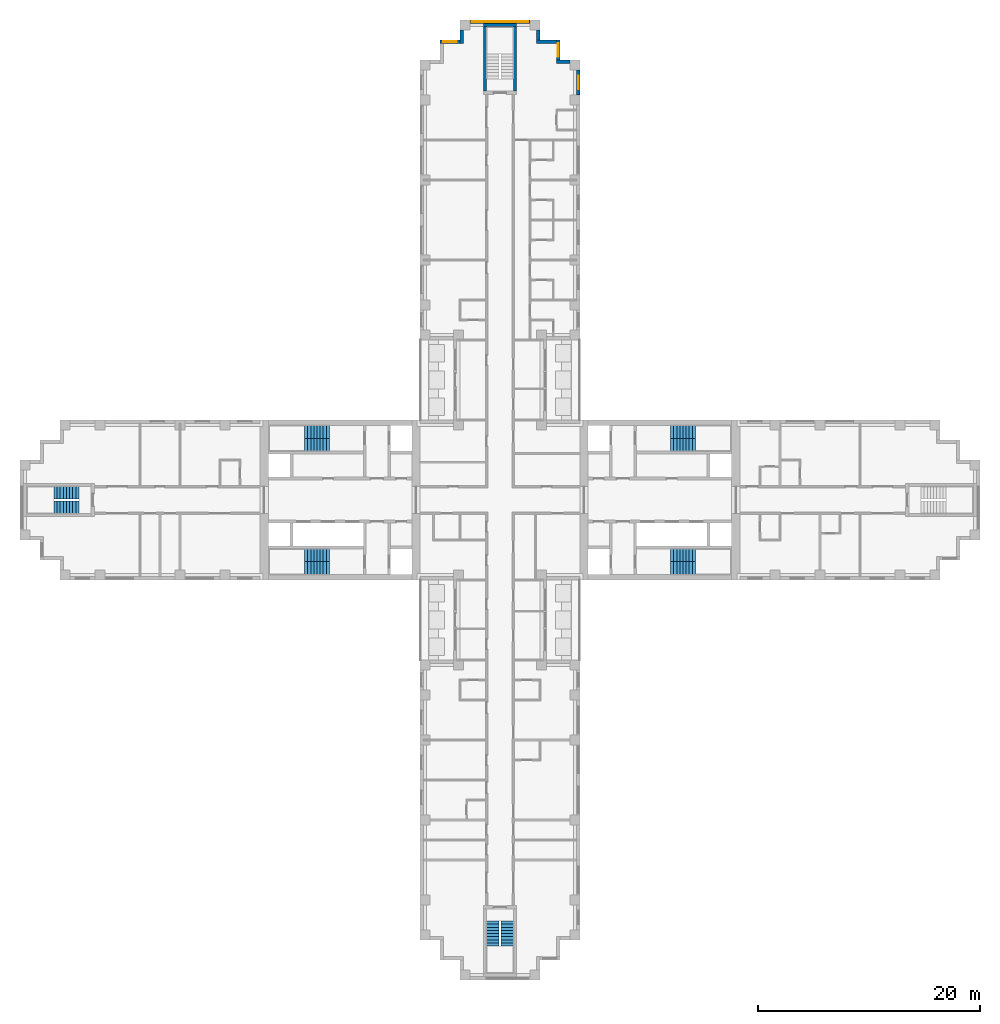
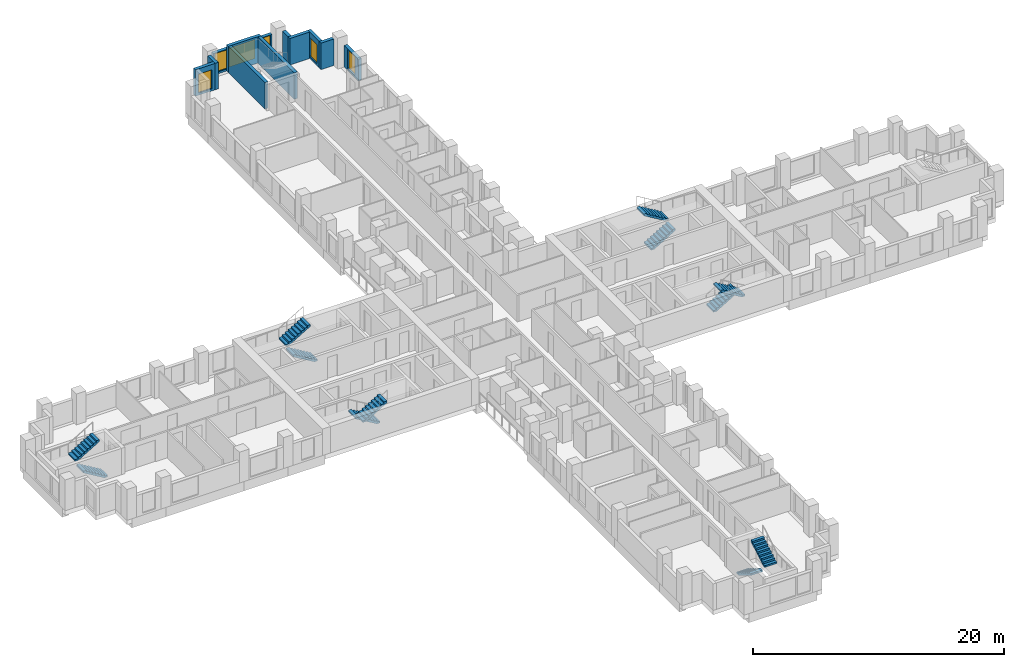
# One storey, part 12 of 15: 12 stair flights, 11 walls, 6 windows, 6 openings, 6 elements without a shape of their own.
"""IFC4 building model written with IfcOpenShell, lengths in metres."""

from ifc_helpers import new_model, si_unit, direction, frame, frame_2d, origin, place, context, subcontext, project, spatial, polyline, rectangle, outline, extrude, material, layer, layer_set, type_object, element, fill, aggregate, save


model = new_model("IFC4")

# Units and contexts
model_context = context("Model", 3, precision=1e-05, world=origin(), true_north=direction((0.0, 1.0)))
body_context = subcontext(model_context, "Body", "Model", "MODEL_VIEW")
ifc_project = project(units=[si_unit("LENGTHUNIT", "METRE"), si_unit("AREAUNIT", "SQUARE_METRE"), si_unit("VOLUMEUNIT", "CUBIC_METRE"), si_unit("PLANEANGLEUNIT", "RADIAN"), si_unit("MASSUNIT", "GRAM", prefix="KILO")], contexts=[model_context])

# Site, building, storey
site_placement = place(None, origin())
site = spatial("IfcSite", under=ifc_project, at=site_placement, CompositionType="ELEMENT")
building_placement = place(site_placement, origin())
building = spatial("IfcBuilding", under=site, at=building_placement, Name="Fustian Cross Tower", CompositionType="ELEMENT")
storey_placement = place(building_placement, frame((0.0, 0.0, 41.699951171875)))
storey = spatial("IfcBuildingStorey", under=building, at=storey_placement, Name="L12", CompositionType="ELEMENT", Elevation=41.699951171875)

# Walls
ifc_material_1 = material(Name="Concrete C50/60", Category="concrete")
ifc_layer_1 = layer(ifc_material_1, 0.300048828125)
ifc_layer_set_1 = layer_set([ifc_layer_1], Name="Concrete C50/60")
wall_type_1 = type_object("IfcWallType", Name="STAIR ENCLOSURE WALL 300 C50/60", PredefinedType="SHEAR", material=ifc_layer_set_1)
wall_1_placement = place(storey_placement, frame((-1.5, 42.75, 0.0), z_axis=(0.0, 0.0, 1.0), x_axis=(1.0, 0.0, 0.0)))
element("IfcWall", 1, at=wall_1_placement, inside=storey, type_object=wall_type_1, Name="Stair enclosure wall", PredefinedType="SHEAR", context=body_context, shape_type="SweptSolid", body=[
    extrude(rectangle(XDim=3.0, YDim=0.300048828125, at=frame_2d((1.5, 0.0))), origin(), (0.0, 0.0, 1.0), 2.574951171875),
])
for number, where, z_axis, x_axis, name in (
    (2, (-1.35009765625, 36.800048828125, 0.0), (0.0, 0.0, 1.0), (0.0, 1.0, 0.0), "Stair enclosure wall"),
    (3, (1.35009765625, 36.800048828125, 0.0), (0.0, 0.0, 1.0), (0.0, 1.0, 0.0), "Stair enclosure wall"),
):
    element("IfcWall", number, at=place(storey_placement, frame(where, z_axis=z_axis, x_axis=x_axis)), inside=storey, type_object=wall_type_1, Name=name, PredefinedType="SHEAR", context=body_context, shape_type="SweptSolid", body=[
        extrude(rectangle(XDim=5.800048828125, YDim=0.300048828125, at=frame_2d((2.89990234375, 0.0))), origin(), (0.0, 0.0, 1.0), 2.574951171875),
    ])

# Wall, opening, window
ifc_material_2 = material(Name="Dark aluminium cladding on insulated backing wall", Category="aluminium")
ifc_layer_2 = layer(ifc_material_2, 0.300048828125)
ifc_layer_set_2 = layer_set([ifc_layer_2], Name="Dark aluminium cladding on insulated backing wall")
wall_type_2 = type_object("IfcWallType", Name="XW1 EXTERNAL WALL 300", PredefinedType="SOLIDWALL", material=ifc_layer_set_2)
wall_2_placement = place(storey_placement, frame((7.050048828125, 36.449951171875, 0.0), z_axis=(0.0, 0.0, 1.0), x_axis=(0.0, 1.0, 0.0)))
wall_2 = element("IfcWall", 4, at=wall_2_placement, inside=storey, type_object=wall_type_2, Name="External wall", PredefinedType="SOLIDWALL", context=body_context, shape_type="SweptSolid", body=[
    extrude(rectangle(XDim=2.25, YDim=0.300048828125, at=frame_2d((1.125, 0.0))), origin(), (0.0, 0.0, 1.0), 2.10009765625),
])
opening_1_placement = place(wall_2_placement, frame((0.52490234375, 0.0, 0.199951171875)))
opening_1 = element("IfcOpeningElement", 5, at=opening_1_placement, cuts=wall_2, Name="Opening WN3", PredefinedType="OPENING", context=body_context, shape_type="SweptSolid", body=[
    extrude(rectangle(XDim=1.199951171875, YDim=1.85009765625, at=frame_2d((0.60009765625, 0.925048828125))), frame((0.0, 0.159912109375, 0.0), z_axis=(0.0, -1.0, 0.0), x_axis=(1.0, 0.0, 0.0)), (0.0, 0.0, 1.0), 0.320068359375),
])
ifc_material_3 = material(Name="Dark anodised aluminium and double glazing", Category="aluminium")
window_type_1 = type_object("IfcWindowType", Name="WN3 WINDOW 1200X1850", PartitioningType="SINGLE_PANEL", PredefinedType="WINDOW", material=ifc_material_3)
window_1_placement = place(opening_1_placement, origin())
window_1 = element("IfcWindow", 6, at=window_1_placement, inside=storey, type_object=window_type_1, Name="Window", OverallHeight=1.85009765625, OverallWidth=1.199951171875, PartitioningType="SINGLE_PANEL", PredefinedType="WINDOW", context=body_context, shape_type="SweptSolid", body=[
    extrude(rectangle(XDim=1.199951171875, YDim=1.85009765625, at=frame_2d((0.60009765625, 0.925048828125))), frame((0.0, 0.030029296875, 0.0), z_axis=(0.0, -1.0, 0.0), x_axis=(1.0, 0.0, 0.0)), (0.0, 0.0, 1.0), 0.06005859375),
])
fill(opening_1, window_1)

# Wall
wall_3_placement = place(storey_placement, frame((6.300048828125, 39.449951171875, 0.0), z_axis=(0.0, 0.0, 1.0), x_axis=(-1.0, 0.0, 0.0)))
element("IfcWall", 7, at=wall_3_placement, inside=storey, type_object=wall_type_2, Name="External wall", PredefinedType="SOLIDWALL", context=body_context, shape_type="SweptSolid", body=[
    extrude(rectangle(XDim=1.199951171875, YDim=0.300048828125, at=frame_2d((0.60009765625, 0.0))), origin(), (0.0, 0.0, 1.0), 2.574951171875),
])

# Wall, opening, window
wall_4_placement = place(storey_placement, frame((5.25, 39.60009765625, 0.0), z_axis=(0.0, 0.0, 1.0), x_axis=(0.0, 1.0, 0.0)))
wall_4 = element("IfcWall", 8, at=wall_4_placement, inside=storey, type_object=wall_type_2, Name="External wall", PredefinedType="SOLIDWALL", context=body_context, shape_type="SweptSolid", body=[
    extrude(rectangle(XDim=1.7998046875, YDim=0.300048828125, at=frame_2d((0.89990234375, 0.0))), origin(), (0.0, 0.0, 1.0), 2.574951171875),
])
opening_2_placement = place(wall_4_placement, frame((0.300048828125, 0.0, 0.199951171875)))
opening_2 = element("IfcOpeningElement", 9, at=opening_2_placement, cuts=wall_4, Name="Opening WN3", PredefinedType="OPENING", context=body_context, shape_type="SweptSolid", body=[
    extrude(rectangle(XDim=1.199951171875, YDim=1.85009765625, at=frame_2d((0.60009765625, 0.925048828125))), frame((0.0, 0.159912109375, 0.0), z_axis=(0.0, -1.0, 0.0), x_axis=(1.0, 0.0, 0.0)), (0.0, 0.0, 1.0), 0.320068359375),
])
window_2_placement = place(opening_2_placement, origin())
window_2 = element("IfcWindow", 10, at=window_2_placement, inside=storey, type_object=window_type_1, Name="Window", OverallHeight=1.85009765625, OverallWidth=1.199951171875, PartitioningType="SINGLE_PANEL", PredefinedType="WINDOW", context=body_context, shape_type="SweptSolid", body=[
    extrude(rectangle(XDim=1.199951171875, YDim=1.85009765625, at=frame_2d((0.60009765625, 0.925048828125))), frame((0.0, 0.030029296875, 0.0), z_axis=(0.0, -1.0, 0.0), x_axis=(1.0, 0.0, 0.0)), (0.0, 0.0, 1.0), 0.06005859375),
])
fill(opening_2, window_2)

# Walls
wall_5_placement = place(storey_placement, frame((5.10009765625, 41.25, 0.0), z_axis=(0.0, 0.0, 1.0), x_axis=(-1.0, 0.0, 0.0)))
element("IfcWall", 11, at=wall_5_placement, inside=storey, type_object=wall_type_2, Name="External wall", PredefinedType="SOLIDWALL", context=body_context, shape_type="SweptSolid", body=[
    extrude(rectangle(XDim=1.800048828125, YDim=0.300048828125, at=frame_2d((0.89990234375, 0.0))), origin(), (0.0, 0.0, 1.0), 2.574951171875),
])
wall_6_placement = place(storey_placement, frame((3.449951171875, 41.39990234375, 0.0), z_axis=(0.0, 0.0, 1.0), x_axis=(0.0, 1.0, 0.0)))
element("IfcWall", 12, at=wall_6_placement, inside=storey, type_object=wall_type_2, Name="External wall", PredefinedType="SOLIDWALL", context=body_context, shape_type="SweptSolid", body=[
    extrude(rectangle(XDim=0.900146484375, YDim=0.300048828125, at=frame_2d((0.4501953125, 0.0))), origin(), (0.0, 0.0, 1.0), 2.574951171875),
])

# Wall, openings, windows
wall_7_placement = place(storey_placement, frame((2.699951171875, 43.050048828125, 0.0), z_axis=(0.0, 0.0, 1.0), x_axis=(-1.0, 0.0, 0.0)))
wall_7 = element("IfcWall", 13, at=wall_7_placement, inside=storey, type_object=wall_type_2, Name="External wall", PredefinedType="SOLIDWALL", context=body_context, shape_type="SweptSolid", body=[
    extrude(rectangle(XDim=5.39990234375, YDim=0.300048828125, at=frame_2d((2.699951171875, 0.0))), origin(), (0.0, 0.0, 1.0), 2.10009765625),
])
opening_3_placement = place(wall_7_placement, frame((1.5, 0.0, 0.199951171875)))
opening_3 = element("IfcOpeningElement", 14, at=opening_3_placement, cuts=wall_7, Name="Opening WN1", PredefinedType="OPENING", context=body_context, shape_type="SweptSolid", body=[
    extrude(rectangle(XDim=2.39990234375, YDim=1.85009765625, at=frame_2d((1.199951171875, 0.925048828125))), frame((0.0, 0.159912109375, 0.0), z_axis=(0.0, -1.0, 0.0), x_axis=(1.0, 0.0, 0.0)), (0.0, 0.0, 1.0), 0.320068359375),
])
opening_4_placement = place(wall_7_placement, frame((0.14990234375, 0.0, 0.199951171875)))
opening_4 = element("IfcOpeningElement", 15, at=opening_4_placement, cuts=wall_7, Name="Opening WN3", PredefinedType="OPENING", context=body_context, shape_type="SweptSolid", body=[
    extrude(rectangle(XDim=1.199951171875, YDim=1.85009765625, at=frame_2d((0.60009765625, 0.925048828125))), frame((0.0, 0.159912109375, 0.0), z_axis=(0.0, -1.0, 0.0), x_axis=(1.0, 0.0, 0.0)), (0.0, 0.0, 1.0), 0.320068359375),
])
opening_5_placement = place(wall_7_placement, frame((4.050048828125, 0.0, 0.199951171875)))
opening_5 = element("IfcOpeningElement", 16, at=opening_5_placement, cuts=wall_7, Name="Opening WN3", PredefinedType="OPENING", context=body_context, shape_type="SweptSolid", body=[
    extrude(rectangle(XDim=1.199951171875, YDim=1.85009765625, at=frame_2d((0.60009765625, 0.925048828125))), frame((0.0, 0.159912109375, 0.0), z_axis=(0.0, -1.0, 0.0), x_axis=(1.0, 0.0, 0.0)), (0.0, 0.0, 1.0), 0.320068359375),
])
ifc_material_4 = material(Name="Dark anodised aluminium and double glazing", Category="aluminium")
window_type_2 = type_object("IfcWindowType", Name="WN1 WINDOW 2400X1850", PartitioningType="SINGLE_PANEL", PredefinedType="WINDOW", material=ifc_material_4)
window_3_placement = place(opening_3_placement, origin())
window_3 = element("IfcWindow", 17, at=window_3_placement, inside=storey, type_object=window_type_2, Name="Window", OverallHeight=1.85009765625, OverallWidth=2.39990234375, PartitioningType="SINGLE_PANEL", PredefinedType="WINDOW", context=body_context, shape_type="SweptSolid", body=[
    extrude(rectangle(XDim=2.39990234375, YDim=1.85009765625, at=frame_2d((1.199951171875, 0.925048828125))), frame((0.0, 0.030029296875, 0.0), z_axis=(0.0, -1.0, 0.0), x_axis=(1.0, 0.0, 0.0)), (0.0, 0.0, 1.0), 0.06005859375),
])
fill(opening_3, window_3)
window_4_placement = place(opening_4_placement, origin())
window_4 = element("IfcWindow", 18, at=window_4_placement, inside=storey, type_object=window_type_1, Name="Window", OverallHeight=1.85009765625, OverallWidth=1.199951171875, PartitioningType="SINGLE_PANEL", PredefinedType="WINDOW", context=body_context, shape_type="SweptSolid", body=[
    extrude(rectangle(XDim=1.199951171875, YDim=1.85009765625, at=frame_2d((0.60009765625, 0.925048828125))), frame((0.0, 0.030029296875, 0.0), z_axis=(0.0, -1.0, 0.0), x_axis=(1.0, 0.0, 0.0)), (0.0, 0.0, 1.0), 0.06005859375),
])
fill(opening_4, window_4)
window_5_placement = place(opening_5_placement, origin())
window_5 = element("IfcWindow", 19, at=window_5_placement, inside=storey, type_object=window_type_1, Name="Window", OverallHeight=1.85009765625, OverallWidth=1.199951171875, PartitioningType="SINGLE_PANEL", PredefinedType="WINDOW", context=body_context, shape_type="SweptSolid", body=[
    extrude(rectangle(XDim=1.199951171875, YDim=1.85009765625, at=frame_2d((0.60009765625, 0.925048828125))), frame((0.0, 0.030029296875, 0.0), z_axis=(0.0, -1.0, 0.0), x_axis=(1.0, 0.0, 0.0)), (0.0, 0.0, 1.0), 0.06005859375),
])
fill(opening_5, window_5)

# Wall
wall_8_placement = place(storey_placement, frame((-3.449951171875, 42.300048828125, 0.0), z_axis=(0.0, 0.0, 1.0), x_axis=(0.0, -1.0, 0.0)))
element("IfcWall", 20, at=wall_8_placement, inside=storey, type_object=wall_type_2, Name="External wall", PredefinedType="SOLIDWALL", context=body_context, shape_type="SweptSolid", body=[
    extrude(rectangle(XDim=1.199951171875, YDim=0.300048828125, at=frame_2d((0.60009765625, 0.0))), origin(), (0.0, 0.0, 1.0), 2.574951171875),
])

# Wall, opening, window
wall_9_placement = place(storey_placement, frame((-3.60009765625, 41.25, 0.0), z_axis=(0.0, 0.0, 1.0), x_axis=(-1.0, 0.0, 0.0)))
wall_9 = element("IfcWall", 21, at=wall_9_placement, inside=storey, type_object=wall_type_2, Name="External wall", PredefinedType="SOLIDWALL", context=body_context, shape_type="SweptSolid", body=[
    extrude(rectangle(XDim=1.7998046875, YDim=0.300048828125, at=frame_2d((0.89990234375, 0.0))), origin(), (0.0, 0.0, 1.0), 2.574951171875),
])
opening_6_placement = place(wall_9_placement, frame((0.300048828125, 0.0, 0.199951171875)))
opening_6 = element("IfcOpeningElement", 22, at=opening_6_placement, cuts=wall_9, Name="Opening WN3", PredefinedType="OPENING", context=body_context, shape_type="SweptSolid", body=[
    extrude(rectangle(XDim=1.199951171875, YDim=1.85009765625, at=frame_2d((0.60009765625, 0.925048828125))), frame((0.0, 0.159912109375, 0.0), z_axis=(0.0, -1.0, 0.0), x_axis=(1.0, 0.0, 0.0)), (0.0, 0.0, 1.0), 0.320068359375),
])
window_6_placement = place(opening_6_placement, origin())
window_6 = element("IfcWindow", 23, at=window_6_placement, inside=storey, type_object=window_type_1, Name="Window", OverallHeight=1.85009765625, OverallWidth=1.199951171875, PartitioningType="SINGLE_PANEL", PredefinedType="WINDOW", context=body_context, shape_type="SweptSolid", body=[
    extrude(rectangle(XDim=1.199951171875, YDim=1.85009765625, at=frame_2d((0.60009765625, 0.925048828125))), frame((0.0, 0.030029296875, 0.0), z_axis=(0.0, -1.0, 0.0), x_axis=(1.0, 0.0, 0.0)), (0.0, 0.0, 1.0), 0.06005859375),
])
fill(opening_6, window_6)

# Stair, stair flights
ifc_material_5 = material(Name="Concrete C50/60", Category="concrete")
stair_type_1 = type_object("IfcStairType", Name="STAIR 1100 HALF TURN", PredefinedType="HALF_TURN_STAIR", material=ifc_material_5)
stair_1_placement = place(storey_placement, origin())
stair_1 = element("IfcStair", 24, at=stair_1_placement, inside=storey, type_object=stair_type_1, Name="Stair ST6", PredefinedType="HALF_TURN_STAIR")
ifc_material_6 = material(Name="Concrete C50/60", Category="concrete")
stair_flight_type_1 = type_object("IfcStairFlightType", Name="STAIR FLIGHT 1100", PredefinedType="STRAIGHT", material=ifc_material_6)
stair_flight_1_placement = place(storey_placement, frame((-0.64990234375, -37.89990234375, 0.0), z_axis=(0.0, 0.0, 1.0), x_axis=(0.0, -1.0, 0.0)))
stair_flight_1 = element("IfcStairFlight", 25, at=stair_flight_1_placement, type_object=stair_flight_type_1, Name="ST6 flight 1", NumberOfRisers=9, NumberOfTreads=8, PredefinedType="STRAIGHT", RiserHeight=0.166666667, TreadLength=0.28, context=body_context, shape_type="SweptSolid", body=[
    extrude(outline(polyline([(0.0, 0.0), (0.0, 0.166748046875), (0.280029296875, 0.166748046875), (0.280029296875, 0.333251953125), (0.56005859375, 0.333251953125), (0.56005859375, 0.5), (0.840087890625, 0.5), (0.840087890625, 0.666748046875), (1.1201171875, 0.666748046875), (1.1201171875, 0.833251953125), (1.39990234375, 0.833251953125), (1.39990234375, 1.0), (1.679931640625, 1.0), (1.679931640625, 1.166748046875), (1.9599609375, 1.166748046875), (1.9599609375, 1.333251953125), (2.239990234375, 1.333251953125), (2.239990234375, 1.5), (2.239990234375, 1.158935546875), (0.29296875, 0.0), (0.0, 0.0)])), frame((0.0, 0.550048828125, 0.0), z_axis=(0.0, -1.0, 0.0), x_axis=(1.0, 0.0, 0.0)), (0.0, 0.0, 1.0), 1.10009765625),
])
stair_flight_2_placement = place(storey_placement, frame((0.64990234375, -40.139892578125, 1.5), z_axis=(0.0, 0.0, 1.0), x_axis=(0.0, 1.0, 0.0)))
stair_flight_2 = element("IfcStairFlight", 26, at=stair_flight_2_placement, type_object=stair_flight_type_1, Name="ST6 flight 2", NumberOfRisers=9, NumberOfTreads=8, PredefinedType="STRAIGHT", RiserHeight=0.166666667, TreadLength=0.28, context=body_context, shape_type="SweptSolid", body=[
    extrude(outline(polyline([(0.0, 0.0), (0.0, 0.166748046875), (0.280029296875, 0.166748046875), (0.280029296875, 0.333251953125), (0.56005859375, 0.333251953125), (0.56005859375, 0.5), (0.840087890625, 0.5), (0.840087890625, 0.666748046875), (1.1201171875, 0.666748046875), (1.1201171875, 0.833251953125), (1.39990234375, 0.833251953125), (1.39990234375, 1.0), (1.679931640625, 1.0), (1.679931640625, 1.166748046875), (1.9599609375, 1.166748046875), (1.9599609375, 1.333251953125), (2.239990234375, 1.333251953125), (2.239990234375, 1.5), (2.239990234375, 1.158935546875), (0.29296875, 0.0), (0.0, 0.0)])), frame((0.0, 0.550048828125, 0.0), z_axis=(0.0, -1.0, 0.0), x_axis=(1.0, 0.0, 0.0)), (0.0, 0.0, 1.0), 1.10009765625),
])
aggregate(stair_1, [stair_flight_1, stair_flight_2])

stair_2_placement = place(storey_placement, origin())
stair_2 = element("IfcStair", 27, at=stair_2_placement, inside=storey, type_object=stair_type_1, Name="Stair ST9", PredefinedType="HALF_TURN_STAIR")
stair_flight_3_placement = place(storey_placement, frame((-37.89990234375, -0.64990234375, 0.0), z_axis=(0.0, 0.0, 1.0), x_axis=(-1.0, 0.0, 0.0)))
stair_flight_3 = element("IfcStairFlight", 28, at=stair_flight_3_placement, type_object=stair_flight_type_1, Name="ST9 flight 1", NumberOfRisers=9, NumberOfTreads=8, PredefinedType="STRAIGHT", RiserHeight=0.166666667, TreadLength=0.28, context=body_context, shape_type="SweptSolid", body=[
    extrude(outline(polyline([(0.0, 0.0), (0.0, 0.166748046875), (0.280029296875, 0.166748046875), (0.280029296875, 0.333251953125), (0.56005859375, 0.333251953125), (0.56005859375, 0.5), (0.840087890625, 0.5), (0.840087890625, 0.666748046875), (1.1201171875, 0.666748046875), (1.1201171875, 0.833251953125), (1.39990234375, 0.833251953125), (1.39990234375, 1.0), (1.679931640625, 1.0), (1.679931640625, 1.166748046875), (1.9599609375, 1.166748046875), (1.9599609375, 1.333251953125), (2.239990234375, 1.333251953125), (2.239990234375, 1.5), (2.239990234375, 1.158935546875), (0.29296875, 0.0), (0.0, 0.0)])), frame((0.0, 0.550048828125, 0.0), z_axis=(0.0, -1.0, 0.0), x_axis=(1.0, 0.0, 0.0)), (0.0, 0.0, 1.0), 1.10009765625),
])
stair_flight_4_placement = place(storey_placement, frame((-40.139892578125, 0.64990234375, 1.5), z_axis=(0.0, 0.0, 1.0), x_axis=(1.0, 0.0, 0.0)))
stair_flight_4 = element("IfcStairFlight", 29, at=stair_flight_4_placement, type_object=stair_flight_type_1, Name="ST9 flight 2", NumberOfRisers=9, NumberOfTreads=8, PredefinedType="STRAIGHT", RiserHeight=0.166666667, TreadLength=0.28, context=body_context, shape_type="SweptSolid", body=[
    extrude(outline(polyline([(0.0, 0.0), (0.0, 0.166748046875), (0.280029296875, 0.166748046875), (0.280029296875, 0.333251953125), (0.56005859375, 0.333251953125), (0.56005859375, 0.5), (0.840087890625, 0.5), (0.840087890625, 0.666748046875), (1.1201171875, 0.666748046875), (1.1201171875, 0.833251953125), (1.39990234375, 0.833251953125), (1.39990234375, 1.0), (1.679931640625, 1.0), (1.679931640625, 1.166748046875), (1.9599609375, 1.166748046875), (1.9599609375, 1.333251953125), (2.239990234375, 1.333251953125), (2.239990234375, 1.5), (2.239990234375, 1.158935546875), (0.29296875, 0.0), (0.0, 0.0)])), frame((0.0, 0.550048828125, 0.0), z_axis=(0.0, -1.0, 0.0), x_axis=(1.0, 0.0, 0.0)), (0.0, 0.0, 1.0), 1.10009765625),
])
aggregate(stair_2, [stair_flight_3, stair_flight_4])

ifc_material_7 = material(Name="Concrete C50/60", Category="concrete")
stair_type_2 = type_object("IfcStairType", Name="STAIR 1150 HALF TURN", PredefinedType="HALF_TURN_STAIR", material=ifc_material_7)
stair_3_placement = place(storey_placement, origin())
stair_3 = element("IfcStair", 30, at=stair_3_placement, inside=storey, type_object=stair_type_2, Name="Stair ST1", PredefinedType="HALF_TURN_STAIR")
ifc_material_8 = material(Name="Concrete C50/60", Category="concrete")
stair_flight_type_2 = type_object("IfcStairFlightType", Name="STAIR FLIGHT 1150", PredefinedType="STRAIGHT", material=ifc_material_8)
stair_flight_5_placement = place(storey_placement, frame((15.35009765625, 4.97509765625, 0.0), z_axis=(0.0, 0.0, 1.0), x_axis=(1.0, 0.0, 0.0)))
stair_flight_5 = element("IfcStairFlight", 31, at=stair_flight_5_placement, type_object=stair_flight_type_2, Name="ST1 flight 1", NumberOfRisers=9, NumberOfTreads=8, PredefinedType="STRAIGHT", RiserHeight=0.166666667, TreadLength=0.28, context=body_context, shape_type="SweptSolid", body=[
    extrude(outline(polyline([(0.0, 0.0), (0.0, 0.166748046875), (0.280029296875, 0.166748046875), (0.280029296875, 0.333251953125), (0.56005859375, 0.333251953125), (0.56005859375, 0.5), (0.840087890625, 0.5), (0.840087890625, 0.666748046875), (1.1201171875, 0.666748046875), (1.1201171875, 0.833251953125), (1.39990234375, 0.833251953125), (1.39990234375, 1.0), (1.679931640625, 1.0), (1.679931640625, 1.166748046875), (1.9599609375, 1.166748046875), (1.9599609375, 1.333251953125), (2.239990234375, 1.333251953125), (2.239990234375, 1.5), (2.239990234375, 1.158935546875), (0.29296875, 0.0), (0.0, 0.0)])), frame((0.0, 0.574951171875, 0.0), z_axis=(0.0, -1.0, 0.0), x_axis=(1.0, 0.0, 0.0)), (0.0, 0.0, 1.0), 1.14990234375),
])
stair_flight_6_placement = place(storey_placement, frame((17.590087890625, 6.125, 1.5), z_axis=(0.0, 0.0, 1.0), x_axis=(-1.0, 0.0, 0.0)))
stair_flight_6 = element("IfcStairFlight", 32, at=stair_flight_6_placement, type_object=stair_flight_type_2, Name="ST1 flight 2", NumberOfRisers=9, NumberOfTreads=8, PredefinedType="STRAIGHT", RiserHeight=0.166666667, TreadLength=0.28, context=body_context, shape_type="SweptSolid", body=[
    extrude(outline(polyline([(0.0, 0.0), (0.0, 0.166748046875), (0.280029296875, 0.166748046875), (0.280029296875, 0.333251953125), (0.56005859375, 0.333251953125), (0.56005859375, 0.5), (0.840087890625, 0.5), (0.840087890625, 0.666748046875), (1.1201171875, 0.666748046875), (1.1201171875, 0.833251953125), (1.39990234375, 0.833251953125), (1.39990234375, 1.0), (1.679931640625, 1.0), (1.679931640625, 1.166748046875), (1.9599609375, 1.166748046875), (1.9599609375, 1.333251953125), (2.239990234375, 1.333251953125), (2.239990234375, 1.5), (2.239990234375, 1.158935546875), (0.29296875, 0.0), (0.0, 0.0)])), frame((0.0, 0.574951171875, 0.0), z_axis=(0.0, -1.0, 0.0), x_axis=(1.0, 0.0, 0.0)), (0.0, 0.0, 1.0), 1.14990234375),
])
aggregate(stair_3, [stair_flight_5, stair_flight_6])

stair_4_placement = place(storey_placement, origin())
stair_4 = element("IfcStair", 33, at=stair_4_placement, inside=storey, type_object=stair_type_2, Name="Stair ST2", PredefinedType="HALF_TURN_STAIR")
stair_flight_7_placement = place(storey_placement, frame((15.35009765625, -4.97509765625, 0.0), z_axis=(0.0, 0.0, 1.0), x_axis=(1.0, 0.0, 0.0)))
stair_flight_7 = element("IfcStairFlight", 34, at=stair_flight_7_placement, type_object=stair_flight_type_2, Name="ST2 flight 1", NumberOfRisers=9, NumberOfTreads=8, PredefinedType="STRAIGHT", RiserHeight=0.166666667, TreadLength=0.28, context=body_context, shape_type="SweptSolid", body=[
    extrude(outline(polyline([(0.0, 0.0), (0.0, 0.166748046875), (0.280029296875, 0.166748046875), (0.280029296875, 0.333251953125), (0.56005859375, 0.333251953125), (0.56005859375, 0.5), (0.840087890625, 0.5), (0.840087890625, 0.666748046875), (1.1201171875, 0.666748046875), (1.1201171875, 0.833251953125), (1.39990234375, 0.833251953125), (1.39990234375, 1.0), (1.679931640625, 1.0), (1.679931640625, 1.166748046875), (1.9599609375, 1.166748046875), (1.9599609375, 1.333251953125), (2.239990234375, 1.333251953125), (2.239990234375, 1.5), (2.239990234375, 1.158935546875), (0.29296875, 0.0), (0.0, 0.0)])), frame((0.0, 0.574951171875, 0.0), z_axis=(0.0, -1.0, 0.0), x_axis=(1.0, 0.0, 0.0)), (0.0, 0.0, 1.0), 1.14990234375),
])
stair_flight_8_placement = place(storey_placement, frame((17.590087890625, -6.125, 1.5), z_axis=(0.0, 0.0, 1.0), x_axis=(-1.0, 0.0, 0.0)))
stair_flight_8 = element("IfcStairFlight", 35, at=stair_flight_8_placement, type_object=stair_flight_type_2, Name="ST2 flight 2", NumberOfRisers=9, NumberOfTreads=8, PredefinedType="STRAIGHT", RiserHeight=0.166666667, TreadLength=0.28, context=body_context, shape_type="SweptSolid", body=[
    extrude(outline(polyline([(0.0, 0.0), (0.0, 0.166748046875), (0.280029296875, 0.166748046875), (0.280029296875, 0.333251953125), (0.56005859375, 0.333251953125), (0.56005859375, 0.5), (0.840087890625, 0.5), (0.840087890625, 0.666748046875), (1.1201171875, 0.666748046875), (1.1201171875, 0.833251953125), (1.39990234375, 0.833251953125), (1.39990234375, 1.0), (1.679931640625, 1.0), (1.679931640625, 1.166748046875), (1.9599609375, 1.166748046875), (1.9599609375, 1.333251953125), (2.239990234375, 1.333251953125), (2.239990234375, 1.5), (2.239990234375, 1.158935546875), (0.29296875, 0.0), (0.0, 0.0)])), frame((0.0, 0.574951171875, 0.0), z_axis=(0.0, -1.0, 0.0), x_axis=(1.0, 0.0, 0.0)), (0.0, 0.0, 1.0), 1.14990234375),
])
aggregate(stair_4, [stair_flight_7, stair_flight_8])

stair_5_placement = place(storey_placement, origin())
stair_5 = element("IfcStair", 36, at=stair_5_placement, inside=storey, type_object=stair_type_2, Name="Stair ST3", PredefinedType="HALF_TURN_STAIR")
stair_flight_9_placement = place(storey_placement, frame((-15.35009765625, 4.97509765625, 0.0), z_axis=(0.0, 0.0, 1.0), x_axis=(-1.0, 0.0, 0.0)))
stair_flight_9 = element("IfcStairFlight", 37, at=stair_flight_9_placement, type_object=stair_flight_type_2, Name="ST3 flight 1", NumberOfRisers=9, NumberOfTreads=8, PredefinedType="STRAIGHT", RiserHeight=0.166666667, TreadLength=0.28, context=body_context, shape_type="SweptSolid", body=[
    extrude(outline(polyline([(0.0, 0.0), (0.0, 0.166748046875), (0.280029296875, 0.166748046875), (0.280029296875, 0.333251953125), (0.56005859375, 0.333251953125), (0.56005859375, 0.5), (0.840087890625, 0.5), (0.840087890625, 0.666748046875), (1.1201171875, 0.666748046875), (1.1201171875, 0.833251953125), (1.39990234375, 0.833251953125), (1.39990234375, 1.0), (1.679931640625, 1.0), (1.679931640625, 1.166748046875), (1.9599609375, 1.166748046875), (1.9599609375, 1.333251953125), (2.239990234375, 1.333251953125), (2.239990234375, 1.5), (2.239990234375, 1.158935546875), (0.29296875, 0.0), (0.0, 0.0)])), frame((0.0, 0.574951171875, 0.0), z_axis=(0.0, -1.0, 0.0), x_axis=(1.0, 0.0, 0.0)), (0.0, 0.0, 1.0), 1.14990234375),
])
stair_flight_10_placement = place(storey_placement, frame((-17.590087890625, 6.125, 1.5), z_axis=(0.0, 0.0, 1.0), x_axis=(1.0, 0.0, 0.0)))
stair_flight_10 = element("IfcStairFlight", 38, at=stair_flight_10_placement, type_object=stair_flight_type_2, Name="ST3 flight 2", NumberOfRisers=9, NumberOfTreads=8, PredefinedType="STRAIGHT", RiserHeight=0.166666667, TreadLength=0.28, context=body_context, shape_type="SweptSolid", body=[
    extrude(outline(polyline([(0.0, 0.0), (0.0, 0.166748046875), (0.280029296875, 0.166748046875), (0.280029296875, 0.333251953125), (0.56005859375, 0.333251953125), (0.56005859375, 0.5), (0.840087890625, 0.5), (0.840087890625, 0.666748046875), (1.1201171875, 0.666748046875), (1.1201171875, 0.833251953125), (1.39990234375, 0.833251953125), (1.39990234375, 1.0), (1.679931640625, 1.0), (1.679931640625, 1.166748046875), (1.9599609375, 1.166748046875), (1.9599609375, 1.333251953125), (2.239990234375, 1.333251953125), (2.239990234375, 1.5), (2.239990234375, 1.158935546875), (0.29296875, 0.0), (0.0, 0.0)])), frame((0.0, 0.574951171875, 0.0), z_axis=(0.0, -1.0, 0.0), x_axis=(1.0, 0.0, 0.0)), (0.0, 0.0, 1.0), 1.14990234375),
])
aggregate(stair_5, [stair_flight_9, stair_flight_10])

stair_6_placement = place(storey_placement, origin())
stair_6 = element("IfcStair", 39, at=stair_6_placement, inside=storey, type_object=stair_type_2, Name="Stair ST4", PredefinedType="HALF_TURN_STAIR")
stair_flight_11_placement = place(storey_placement, frame((-15.35009765625, -4.97509765625, 0.0), z_axis=(0.0, 0.0, 1.0), x_axis=(-1.0, 0.0, 0.0)))
stair_flight_11 = element("IfcStairFlight", 40, at=stair_flight_11_placement, type_object=stair_flight_type_2, Name="ST4 flight 1", NumberOfRisers=9, NumberOfTreads=8, PredefinedType="STRAIGHT", RiserHeight=0.166666667, TreadLength=0.28, context=body_context, shape_type="SweptSolid", body=[
    extrude(outline(polyline([(0.0, 0.0), (0.0, 0.166748046875), (0.280029296875, 0.166748046875), (0.280029296875, 0.333251953125), (0.56005859375, 0.333251953125), (0.56005859375, 0.5), (0.840087890625, 0.5), (0.840087890625, 0.666748046875), (1.1201171875, 0.666748046875), (1.1201171875, 0.833251953125), (1.39990234375, 0.833251953125), (1.39990234375, 1.0), (1.679931640625, 1.0), (1.679931640625, 1.166748046875), (1.9599609375, 1.166748046875), (1.9599609375, 1.333251953125), (2.239990234375, 1.333251953125), (2.239990234375, 1.5), (2.239990234375, 1.158935546875), (0.29296875, 0.0), (0.0, 0.0)])), frame((0.0, 0.574951171875, 0.0), z_axis=(0.0, -1.0, 0.0), x_axis=(1.0, 0.0, 0.0)), (0.0, 0.0, 1.0), 1.14990234375),
])
stair_flight_12_placement = place(storey_placement, frame((-17.590087890625, -6.125, 1.5), z_axis=(0.0, 0.0, 1.0), x_axis=(1.0, 0.0, 0.0)))
stair_flight_12 = element("IfcStairFlight", 41, at=stair_flight_12_placement, type_object=stair_flight_type_2, Name="ST4 flight 2", NumberOfRisers=9, NumberOfTreads=8, PredefinedType="STRAIGHT", RiserHeight=0.166666667, TreadLength=0.28, context=body_context, shape_type="SweptSolid", body=[
    extrude(outline(polyline([(0.0, 0.0), (0.0, 0.166748046875), (0.280029296875, 0.166748046875), (0.280029296875, 0.333251953125), (0.56005859375, 0.333251953125), (0.56005859375, 0.5), (0.840087890625, 0.5), (0.840087890625, 0.666748046875), (1.1201171875, 0.666748046875), (1.1201171875, 0.833251953125), (1.39990234375, 0.833251953125), (1.39990234375, 1.0), (1.679931640625, 1.0), (1.679931640625, 1.166748046875), (1.9599609375, 1.166748046875), (1.9599609375, 1.333251953125), (2.239990234375, 1.333251953125), (2.239990234375, 1.5), (2.239990234375, 1.158935546875), (0.29296875, 0.0), (0.0, 0.0)])), frame((0.0, 0.574951171875, 0.0), z_axis=(0.0, -1.0, 0.0), x_axis=(1.0, 0.0, 0.0)), (0.0, 0.0, 1.0), 1.14990234375),
])
aggregate(stair_6, [stair_flight_11, stair_flight_12])

save(model, "model.ifc")
